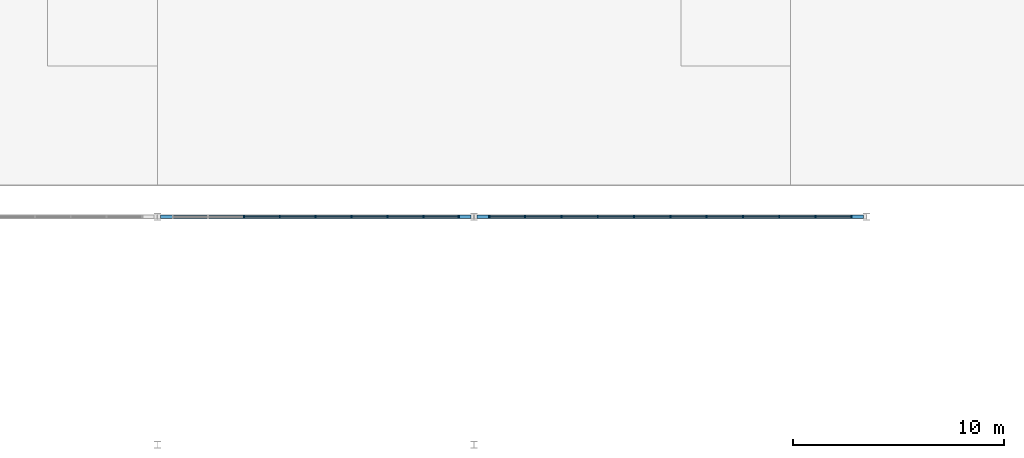
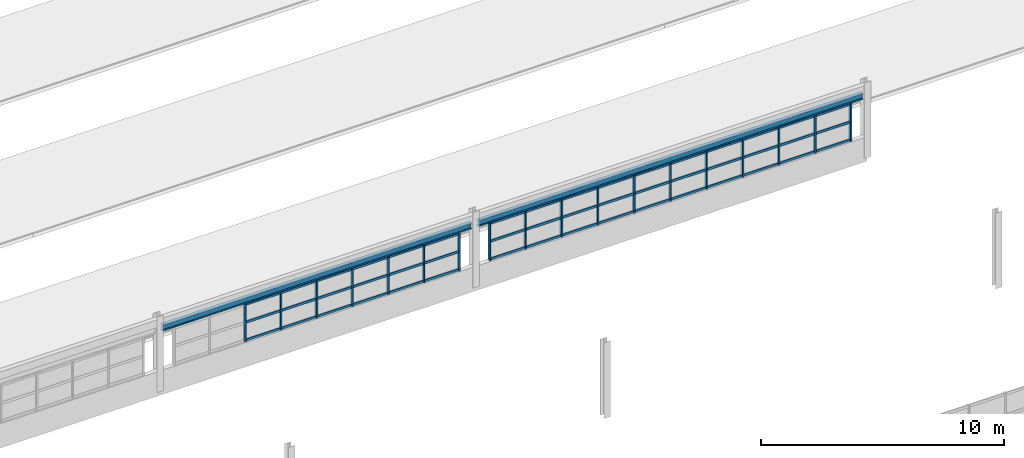
# One storey, part 26 of 90: 66 members, 2 beams, 2 elements without a shape of their own.
"""IFC4 building model written with IfcOpenShell, lengths in metres."""

from ifc_helpers import new_model, si_unit, direction, frame, origin, origin_2d, place, context, subcontext, project, spatial, rectangle, i_section, extrude, material, material_profile, profile_set, type_object, element, aggregate, save


model = new_model("IFC4")

# Units and contexts
model_context = context("Model", 3, precision=1e-05, world=origin(), true_north=direction((0.0, 1.0)))
body_context = subcontext(model_context, "Body", "Model", "MODEL_VIEW")
ifc_project = project(units=[si_unit("LENGTHUNIT", "METRE"), si_unit("AREAUNIT", "SQUARE_METRE"), si_unit("VOLUMEUNIT", "CUBIC_METRE"), si_unit("PLANEANGLEUNIT", "RADIAN"), si_unit("MASSUNIT", "GRAM", prefix="KILO")], contexts=[model_context])

# Site, building, storey
site_placement = place(None, origin())
site = spatial("IfcSite", under=ifc_project, at=site_placement, CompositionType="ELEMENT")
building_placement = place(site_placement, origin())
building = spatial("IfcBuilding", under=site, at=building_placement, Name="Solanera Park Tramway Depot", CompositionType="ELEMENT")
storey_placement = place(building_placement, frame((0.0, 0.0, 9.0)))
storey = spatial("IfcBuildingStorey", under=building, at=storey_placement, Name="L02", CompositionType="ELEMENT", Elevation=9.0)

# Curtain wall, members
ifc_material_1 = material(Name="Bronze-anodised thermally broken aluminium curtain wall", Category="aluminium")
curtain_wall_type = type_object("IfcCurtainWallType", Name="Workshop Daylight Ribbon Curtain Wall", PredefinedType="NOTDEFINED", material=ifc_material_1)
curtain_wall_1_placement = place(storey_placement, origin())
curtain_wall_1 = element("IfcCurtainWall", 1, at=curtain_wall_1_placement, inside=storey, type_object=curtain_wall_type, Name="L02 Workshop Daylight Ribbon Curtain Wall #160", PredefinedType="NOTDEFINED")
ifc_material_2 = material(Name="Bronze-anodised structural aluminium 6063-T6", Category="aluminium")
ifc_material_profile_1 = material_profile(ifc_material_2, rectangle(XDim=0.06494140625, YDim=0.14990234375, at=origin_2d()), Name="Curtain Wall Mullion 65x150")
ifc_profile_set_1 = profile_set([ifc_material_profile_1], Name="Bronze-anodised structural aluminium 6063-T6")
member_type_1 = type_object("IfcMemberType", Name="Curtain Wall Mullion 65x150", PredefinedType="MULLION", material=ifc_profile_set_1)
member_1_placement = place(storey_placement, frame((74.267578125, 54.0, 1.0), z_axis=(0.0, 0.0, 1.0), x_axis=(1.0, 0.0, 0.0)))
member_1 = element("IfcMember", 2, at=member_1_placement, type_object=member_type_1, Name="CW-L02-160 Mullion 1", PredefinedType="MULLION", context=body_context, shape_type="SweptSolid", body=[
    extrude(rectangle(XDim=0.06494140625, YDim=0.14990234375, at=origin_2d()), origin(), (0.0, 0.0, 1.0), 1.919921875),
])
member_2_placement = place(storey_placement, frame((72.60009765625, 54.0, 1.0), z_axis=(0.0, 0.0, 1.0), x_axis=(1.0, 0.0, 0.0)))
member_2 = element("IfcMember", 3, at=member_2_placement, type_object=member_type_1, Name="CW-L02-160 Mullion 2", PredefinedType="MULLION", context=body_context, shape_type="SweptSolid", body=[
    extrude(rectangle(XDim=0.06494140625, YDim=0.14990234375, at=origin_2d()), origin(), (0.0, 0.0, 1.0), 1.919921875),
])
member_3_placement = place(storey_placement, frame((70.89990234375, 54.0, 1.0), z_axis=(0.0, 0.0, 1.0), x_axis=(1.0, 0.0, 0.0)))
member_3 = element("IfcMember", 4, at=member_3_placement, type_object=member_type_1, Name="CW-L02-160 Mullion 3", PredefinedType="MULLION", context=body_context, shape_type="SweptSolid", body=[
    extrude(rectangle(XDim=0.06494140625, YDim=0.14990234375, at=origin_2d()), origin(), (0.0, 0.0, 1.0), 1.919921875),
])
member_4_placement = place(storey_placement, frame((69.199951171875, 54.0, 1.0), z_axis=(0.0, 0.0, 1.0), x_axis=(1.0, 0.0, 0.0)))
member_4 = element("IfcMember", 5, at=member_4_placement, type_object=member_type_1, Name="CW-L02-160 Mullion 4", PredefinedType="MULLION", context=body_context, shape_type="SweptSolid", body=[
    extrude(rectangle(XDim=0.06494140625, YDim=0.14990234375, at=origin_2d()), origin(), (0.0, 0.0, 1.0), 1.919921875),
])
member_5_placement = place(storey_placement, frame((67.5, 54.0, 1.0), z_axis=(0.0, 0.0, 1.0), x_axis=(1.0, 0.0, 0.0)))
member_5 = element("IfcMember", 6, at=member_5_placement, type_object=member_type_1, Name="CW-L02-160 Mullion 5", PredefinedType="MULLION", context=body_context, shape_type="SweptSolid", body=[
    extrude(rectangle(XDim=0.06494140625, YDim=0.14990234375, at=origin_2d()), origin(), (0.0, 0.0, 1.0), 1.919921875),
])
member_6_placement = place(storey_placement, frame((65.800048828125, 54.0, 1.0), z_axis=(0.0, 0.0, 1.0), x_axis=(1.0, 0.0, 0.0)))
member_6 = element("IfcMember", 7, at=member_6_placement, type_object=member_type_1, Name="CW-L02-160 Mullion 6", PredefinedType="MULLION", context=body_context, shape_type="SweptSolid", body=[
    extrude(rectangle(XDim=0.06494140625, YDim=0.14990234375, at=origin_2d()), origin(), (0.0, 0.0, 1.0), 1.919921875),
])
member_7_placement = place(storey_placement, frame((64.10009765625, 54.0, 1.0), z_axis=(0.0, 0.0, 1.0), x_axis=(1.0, 0.0, 0.0)))
member_7 = element("IfcMember", 8, at=member_7_placement, type_object=member_type_1, Name="CW-L02-160 Mullion 7", PredefinedType="MULLION", context=body_context, shape_type="SweptSolid", body=[
    extrude(rectangle(XDim=0.06494140625, YDim=0.14990234375, at=origin_2d()), origin(), (0.0, 0.0, 1.0), 1.919921875),
])

curtain_wall_2_placement = place(storey_placement, origin())
curtain_wall_2 = element("IfcCurtainWall", 9, at=curtain_wall_2_placement, inside=storey, type_object=curtain_wall_type, Name="L02 Workshop Daylight Ribbon Curtain Wall #162", PredefinedType="NOTDEFINED")
member_8_placement = place(storey_placement, frame((92.867431640625, 54.0, 1.0), z_axis=(0.0, 0.0, 1.0), x_axis=(1.0, 0.0, 0.0)))
member_8 = element("IfcMember", 10, at=member_8_placement, type_object=member_type_1, Name="CW-L02-162 Mullion 1", PredefinedType="MULLION", context=body_context, shape_type="SweptSolid", body=[
    extrude(rectangle(XDim=0.06494140625, YDim=0.14990234375, at=origin_2d()), origin(), (0.0, 0.0, 1.0), 1.919921875),
])
member_9_placement = place(storey_placement, frame((91.179931640625, 54.0, 1.0), z_axis=(0.0, 0.0, 1.0), x_axis=(1.0, 0.0, 0.0)))
member_9 = element("IfcMember", 11, at=member_9_placement, type_object=member_type_1, Name="CW-L02-162 Mullion 2", PredefinedType="MULLION", context=body_context, shape_type="SweptSolid", body=[
    extrude(rectangle(XDim=0.06494140625, YDim=0.14990234375, at=origin_2d()), origin(), (0.0, 0.0, 1.0), 1.919921875),
])
member_10_placement = place(storey_placement, frame((89.4599609375, 54.0, 1.0), z_axis=(0.0, 0.0, 1.0), x_axis=(1.0, 0.0, 0.0)))
member_10 = element("IfcMember", 12, at=member_10_placement, type_object=member_type_1, Name="CW-L02-162 Mullion 3", PredefinedType="MULLION", context=body_context, shape_type="SweptSolid", body=[
    extrude(rectangle(XDim=0.06494140625, YDim=0.14990234375, at=origin_2d()), origin(), (0.0, 0.0, 1.0), 1.919921875),
])
member_11_placement = place(storey_placement, frame((87.739990234375, 54.0, 1.0), z_axis=(0.0, 0.0, 1.0), x_axis=(1.0, 0.0, 0.0)))
member_11 = element("IfcMember", 13, at=member_11_placement, type_object=member_type_1, Name="CW-L02-162 Mullion 4", PredefinedType="MULLION", context=body_context, shape_type="SweptSolid", body=[
    extrude(rectangle(XDim=0.06494140625, YDim=0.14990234375, at=origin_2d()), origin(), (0.0, 0.0, 1.0), 1.919921875),
])
member_12_placement = place(storey_placement, frame((86.02001953125, 54.0, 1.0), z_axis=(0.0, 0.0, 1.0), x_axis=(1.0, 0.0, 0.0)))
member_12 = element("IfcMember", 14, at=member_12_placement, type_object=member_type_1, Name="CW-L02-162 Mullion 5", PredefinedType="MULLION", context=body_context, shape_type="SweptSolid", body=[
    extrude(rectangle(XDim=0.06494140625, YDim=0.14990234375, at=origin_2d()), origin(), (0.0, 0.0, 1.0), 1.919921875),
])
member_13_placement = place(storey_placement, frame((84.300048828125, 54.0, 1.0), z_axis=(0.0, 0.0, 1.0), x_axis=(1.0, 0.0, 0.0)))
member_13 = element("IfcMember", 15, at=member_13_placement, type_object=member_type_1, Name="CW-L02-162 Mullion 6", PredefinedType="MULLION", context=body_context, shape_type="SweptSolid", body=[
    extrude(rectangle(XDim=0.06494140625, YDim=0.14990234375, at=origin_2d()), origin(), (0.0, 0.0, 1.0), 1.919921875),
])
member_14_placement = place(storey_placement, frame((82.580078125, 54.0, 1.0), z_axis=(0.0, 0.0, 1.0), x_axis=(1.0, 0.0, 0.0)))
member_14 = element("IfcMember", 16, at=member_14_placement, type_object=member_type_1, Name="CW-L02-162 Mullion 7", PredefinedType="MULLION", context=body_context, shape_type="SweptSolid", body=[
    extrude(rectangle(XDim=0.06494140625, YDim=0.14990234375, at=origin_2d()), origin(), (0.0, 0.0, 1.0), 1.919921875),
])
member_15_placement = place(storey_placement, frame((80.860107421875, 54.0, 1.0), z_axis=(0.0, 0.0, 1.0), x_axis=(1.0, 0.0, 0.0)))
member_15 = element("IfcMember", 17, at=member_15_placement, type_object=member_type_1, Name="CW-L02-162 Mullion 8", PredefinedType="MULLION", context=body_context, shape_type="SweptSolid", body=[
    extrude(rectangle(XDim=0.06494140625, YDim=0.14990234375, at=origin_2d()), origin(), (0.0, 0.0, 1.0), 1.919921875),
])
member_16_placement = place(storey_placement, frame((79.139892578125, 54.0, 1.0), z_axis=(0.0, 0.0, 1.0), x_axis=(1.0, 0.0, 0.0)))
member_16 = element("IfcMember", 18, at=member_16_placement, type_object=member_type_1, Name="CW-L02-162 Mullion 9", PredefinedType="MULLION", context=body_context, shape_type="SweptSolid", body=[
    extrude(rectangle(XDim=0.06494140625, YDim=0.14990234375, at=origin_2d()), origin(), (0.0, 0.0, 1.0), 1.919921875),
])
member_17_placement = place(storey_placement, frame((77.419921875, 54.0, 1.0), z_axis=(0.0, 0.0, 1.0), x_axis=(1.0, 0.0, 0.0)))
member_17 = element("IfcMember", 19, at=member_17_placement, type_object=member_type_1, Name="CW-L02-162 Mullion 10", PredefinedType="MULLION", context=body_context, shape_type="SweptSolid", body=[
    extrude(rectangle(XDim=0.06494140625, YDim=0.14990234375, at=origin_2d()), origin(), (0.0, 0.0, 1.0), 1.919921875),
])
member_18_placement = place(storey_placement, frame((75.732421875, 54.0, 1.0), z_axis=(0.0, 0.0, 1.0), x_axis=(1.0, 0.0, 0.0)))
member_18 = element("IfcMember", 20, at=member_18_placement, type_object=member_type_1, Name="CW-L02-162 Mullion 11", PredefinedType="MULLION", context=body_context, shape_type="SweptSolid", body=[
    extrude(rectangle(XDim=0.06494140625, YDim=0.14990234375, at=origin_2d()), origin(), (0.0, 0.0, 1.0), 1.919921875),
])

# Member
ifc_material_3 = material(Name="Bronze-anodised structural aluminium 6063-T6", Category="aluminium")
ifc_material_profile_2 = material_profile(ifc_material_3, rectangle(XDim=0.06494140625, YDim=0.1201171875, at=origin_2d()), Name="Curtain Wall Transom 65x120")
ifc_profile_set_2 = profile_set([ifc_material_profile_2], Name="Bronze-anodised structural aluminium 6063-T6")
member_type_2 = type_object("IfcMemberType", Name="Curtain Wall Transom 65x120", PredefinedType="USERDEFINED", material=ifc_profile_set_2)
member_19_placement = place(storey_placement, frame((74.239501953125, 54.0, 1.06005859375), z_axis=(-1.0, 0.0, 0.0), x_axis=(0.0, -1.0, 0.0)))
member_19 = element("IfcMember", 21, at=member_19_placement, type_object=member_type_2, Name="CW-L02-160 Transom R1.C1", ObjectType="TRANSOM", PredefinedType="USERDEFINED", context=body_context, shape_type="SweptSolid", body=[
    extrude(rectangle(XDim=0.06494140625, YDim=0.1201171875, at=origin_2d()), origin(), (0.0, 0.0, 1.0), 1.611572265625),
])

member_20_placement = place(storey_placement, frame((72.572021484375, 54.0, 1.06005859375), z_axis=(-1.0, 0.0, 0.0), x_axis=(0.0, -1.0, 0.0)))
member_20 = element("IfcMember", 22, at=member_20_placement, type_object=member_type_2, Name="CW-L02-160 Transom R1.C2", ObjectType="TRANSOM", PredefinedType="USERDEFINED", context=body_context, shape_type="SweptSolid", body=[
    extrude(rectangle(XDim=0.06494140625, YDim=0.1201171875, at=origin_2d()), origin(), (0.0, 0.0, 1.0), 1.64404296875),
])

member_21_placement = place(storey_placement, frame((70.8720703125, 54.0, 1.06005859375), z_axis=(-1.0, 0.0, 0.0), x_axis=(0.0, -1.0, 0.0)))
member_21 = element("IfcMember", 23, at=member_21_placement, type_object=member_type_2, Name="CW-L02-160 Transom R1.C3", ObjectType="TRANSOM", PredefinedType="USERDEFINED", context=body_context, shape_type="SweptSolid", body=[
    extrude(rectangle(XDim=0.06494140625, YDim=0.1201171875, at=origin_2d()), origin(), (0.0, 0.0, 1.0), 1.64404296875),
])

member_22_placement = place(storey_placement, frame((69.172119140625, 54.0, 1.06005859375), z_axis=(-1.0, 0.0, 0.0), x_axis=(0.0, -1.0, 0.0)))
member_22 = element("IfcMember", 24, at=member_22_placement, type_object=member_type_2, Name="CW-L02-160 Transom R1.C4", ObjectType="TRANSOM", PredefinedType="USERDEFINED", context=body_context, shape_type="SweptSolid", body=[
    extrude(rectangle(XDim=0.06494140625, YDim=0.1201171875, at=origin_2d()), origin(), (0.0, 0.0, 1.0), 1.64404296875),
])

member_23_placement = place(storey_placement, frame((67.471923828125, 54.0, 1.06005859375), z_axis=(-1.0, 0.0, 0.0), x_axis=(0.0, -1.0, 0.0)))
member_23 = element("IfcMember", 25, at=member_23_placement, type_object=member_type_2, Name="CW-L02-160 Transom R1.C5", ObjectType="TRANSOM", PredefinedType="USERDEFINED", context=body_context, shape_type="SweptSolid", body=[
    extrude(rectangle(XDim=0.06494140625, YDim=0.1201171875, at=origin_2d()), origin(), (0.0, 0.0, 1.0), 1.64404296875),
])

member_24_placement = place(storey_placement, frame((65.77197265625, 54.0, 1.06005859375), z_axis=(-1.0, 0.0, 0.0), x_axis=(0.0, -1.0, 0.0)))
member_24 = element("IfcMember", 26, at=member_24_placement, type_object=member_type_2, Name="CW-L02-160 Transom R1.C6", ObjectType="TRANSOM", PredefinedType="USERDEFINED", context=body_context, shape_type="SweptSolid", body=[
    extrude(rectangle(XDim=0.06494140625, YDim=0.1201171875, at=origin_2d()), origin(), (0.0, 0.0, 1.0), 1.64404296875),
])

member_25_placement = place(storey_placement, frame((74.239501953125, 54.0, 1.9599609375), z_axis=(-1.0, 0.0, 0.0), x_axis=(0.0, -1.0, 0.0)))
member_25 = element("IfcMember", 27, at=member_25_placement, type_object=member_type_2, Name="CW-L02-160 Transom R2.C1", ObjectType="TRANSOM", PredefinedType="USERDEFINED", context=body_context, shape_type="SweptSolid", body=[
    extrude(rectangle(XDim=0.06494140625, YDim=0.1201171875, at=origin_2d()), origin(), (0.0, 0.0, 1.0), 1.611572265625),
])

member_26_placement = place(storey_placement, frame((72.572021484375, 54.0, 1.9599609375), z_axis=(-1.0, 0.0, 0.0), x_axis=(0.0, -1.0, 0.0)))
member_26 = element("IfcMember", 28, at=member_26_placement, type_object=member_type_2, Name="CW-L02-160 Transom R2.C2", ObjectType="TRANSOM", PredefinedType="USERDEFINED", context=body_context, shape_type="SweptSolid", body=[
    extrude(rectangle(XDim=0.06494140625, YDim=0.1201171875, at=origin_2d()), origin(), (0.0, 0.0, 1.0), 1.64404296875),
])

member_27_placement = place(storey_placement, frame((70.8720703125, 54.0, 1.9599609375), z_axis=(-1.0, 0.0, 0.0), x_axis=(0.0, -1.0, 0.0)))
member_27 = element("IfcMember", 29, at=member_27_placement, type_object=member_type_2, Name="CW-L02-160 Transom R2.C3", ObjectType="TRANSOM", PredefinedType="USERDEFINED", context=body_context, shape_type="SweptSolid", body=[
    extrude(rectangle(XDim=0.06494140625, YDim=0.1201171875, at=origin_2d()), origin(), (0.0, 0.0, 1.0), 1.64404296875),
])

member_28_placement = place(storey_placement, frame((69.172119140625, 54.0, 1.9599609375), z_axis=(-1.0, 0.0, 0.0), x_axis=(0.0, -1.0, 0.0)))
member_28 = element("IfcMember", 30, at=member_28_placement, type_object=member_type_2, Name="CW-L02-160 Transom R2.C4", ObjectType="TRANSOM", PredefinedType="USERDEFINED", context=body_context, shape_type="SweptSolid", body=[
    extrude(rectangle(XDim=0.06494140625, YDim=0.1201171875, at=origin_2d()), origin(), (0.0, 0.0, 1.0), 1.64404296875),
])

member_29_placement = place(storey_placement, frame((67.471923828125, 54.0, 1.9599609375), z_axis=(-1.0, 0.0, 0.0), x_axis=(0.0, -1.0, 0.0)))
member_29 = element("IfcMember", 31, at=member_29_placement, type_object=member_type_2, Name="CW-L02-160 Transom R2.C5", ObjectType="TRANSOM", PredefinedType="USERDEFINED", context=body_context, shape_type="SweptSolid", body=[
    extrude(rectangle(XDim=0.06494140625, YDim=0.1201171875, at=origin_2d()), origin(), (0.0, 0.0, 1.0), 1.64404296875),
])

member_30_placement = place(storey_placement, frame((65.77197265625, 54.0, 1.9599609375), z_axis=(-1.0, 0.0, 0.0), x_axis=(0.0, -1.0, 0.0)))
member_30 = element("IfcMember", 32, at=member_30_placement, type_object=member_type_2, Name="CW-L02-160 Transom R2.C6", ObjectType="TRANSOM", PredefinedType="USERDEFINED", context=body_context, shape_type="SweptSolid", body=[
    extrude(rectangle(XDim=0.06494140625, YDim=0.1201171875, at=origin_2d()), origin(), (0.0, 0.0, 1.0), 1.64404296875),
])

member_31_placement = place(storey_placement, frame((74.239501953125, 54.0, 2.860107421875), z_axis=(-1.0, 0.0, 0.0), x_axis=(0.0, -1.0, 0.0)))
member_31 = element("IfcMember", 33, at=member_31_placement, type_object=member_type_2, Name="CW-L02-160 Transom R3.C1", ObjectType="TRANSOM", PredefinedType="USERDEFINED", context=body_context, shape_type="SweptSolid", body=[
    extrude(rectangle(XDim=0.06494140625, YDim=0.1201171875, at=origin_2d()), origin(), (0.0, 0.0, 1.0), 1.611572265625),
])

member_32_placement = place(storey_placement, frame((72.572021484375, 54.0, 2.860107421875), z_axis=(-1.0, 0.0, 0.0), x_axis=(0.0, -1.0, 0.0)))
member_32 = element("IfcMember", 34, at=member_32_placement, type_object=member_type_2, Name="CW-L02-160 Transom R3.C2", ObjectType="TRANSOM", PredefinedType="USERDEFINED", context=body_context, shape_type="SweptSolid", body=[
    extrude(rectangle(XDim=0.06494140625, YDim=0.1201171875, at=origin_2d()), origin(), (0.0, 0.0, 1.0), 1.64404296875),
])

member_33_placement = place(storey_placement, frame((70.8720703125, 54.0, 2.860107421875), z_axis=(-1.0, 0.0, 0.0), x_axis=(0.0, -1.0, 0.0)))
member_33 = element("IfcMember", 35, at=member_33_placement, type_object=member_type_2, Name="CW-L02-160 Transom R3.C3", ObjectType="TRANSOM", PredefinedType="USERDEFINED", context=body_context, shape_type="SweptSolid", body=[
    extrude(rectangle(XDim=0.06494140625, YDim=0.1201171875, at=origin_2d()), origin(), (0.0, 0.0, 1.0), 1.64404296875),
])

member_34_placement = place(storey_placement, frame((69.172119140625, 54.0, 2.860107421875), z_axis=(-1.0, 0.0, 0.0), x_axis=(0.0, -1.0, 0.0)))
member_34 = element("IfcMember", 36, at=member_34_placement, type_object=member_type_2, Name="CW-L02-160 Transom R3.C4", ObjectType="TRANSOM", PredefinedType="USERDEFINED", context=body_context, shape_type="SweptSolid", body=[
    extrude(rectangle(XDim=0.06494140625, YDim=0.1201171875, at=origin_2d()), origin(), (0.0, 0.0, 1.0), 1.64404296875),
])

member_35_placement = place(storey_placement, frame((67.471923828125, 54.0, 2.860107421875), z_axis=(-1.0, 0.0, 0.0), x_axis=(0.0, -1.0, 0.0)))
member_35 = element("IfcMember", 37, at=member_35_placement, type_object=member_type_2, Name="CW-L02-160 Transom R3.C5", ObjectType="TRANSOM", PredefinedType="USERDEFINED", context=body_context, shape_type="SweptSolid", body=[
    extrude(rectangle(XDim=0.06494140625, YDim=0.1201171875, at=origin_2d()), origin(), (0.0, 0.0, 1.0), 1.64404296875),
])

member_36_placement = place(storey_placement, frame((65.77197265625, 54.0, 2.860107421875), z_axis=(-1.0, 0.0, 0.0), x_axis=(0.0, -1.0, 0.0)))
member_36 = element("IfcMember", 38, at=member_36_placement, type_object=member_type_2, Name="CW-L02-160 Transom R3.C6", ObjectType="TRANSOM", PredefinedType="USERDEFINED", context=body_context, shape_type="SweptSolid", body=[
    extrude(rectangle(XDim=0.06494140625, YDim=0.1201171875, at=origin_2d()), origin(), (0.0, 0.0, 1.0), 1.64404296875),
])

aggregate(curtain_wall_1, [member_1, member_2, member_3, member_4, member_5, member_6, member_7, member_19, member_20, member_21, member_22, member_23, member_24, member_25, member_26, member_27, member_28, member_29, member_30, member_31, member_32, member_33, member_34, member_35, member_36])

member_37_placement = place(storey_placement, frame((92.839599609375, 54.0, 1.06005859375), z_axis=(-1.0, 0.0, 0.0), x_axis=(0.0, -1.0, 0.0)))
member_37 = element("IfcMember", 39, at=member_37_placement, type_object=member_type_2, Name="CW-L02-162 Transom R1.C1", ObjectType="TRANSOM", PredefinedType="USERDEFINED", context=body_context, shape_type="SweptSolid", body=[
    extrude(rectangle(XDim=0.06494140625, YDim=0.1201171875, at=origin_2d()), origin(), (0.0, 0.0, 1.0), 1.631591796875),
])

member_38_placement = place(storey_placement, frame((91.152099609375, 54.0, 1.06005859375), z_axis=(-1.0, 0.0, 0.0), x_axis=(0.0, -1.0, 0.0)))
member_38 = element("IfcMember", 40, at=member_38_placement, type_object=member_type_2, Name="CW-L02-162 Transom R1.C2", ObjectType="TRANSOM", PredefinedType="USERDEFINED", context=body_context, shape_type="SweptSolid", body=[
    extrude(rectangle(XDim=0.06494140625, YDim=0.1201171875, at=origin_2d()), origin(), (0.0, 0.0, 1.0), 1.6640625),
])

member_39_placement = place(storey_placement, frame((89.431884765625, 54.0, 1.06005859375), z_axis=(-1.0, 0.0, 0.0), x_axis=(0.0, -1.0, 0.0)))
member_39 = element("IfcMember", 41, at=member_39_placement, type_object=member_type_2, Name="CW-L02-162 Transom R1.C3", ObjectType="TRANSOM", PredefinedType="USERDEFINED", context=body_context, shape_type="SweptSolid", body=[
    extrude(rectangle(XDim=0.06494140625, YDim=0.1201171875, at=origin_2d()), origin(), (0.0, 0.0, 1.0), 1.663818359375),
])

member_40_placement = place(storey_placement, frame((87.7119140625, 54.0, 1.06005859375), z_axis=(-1.0, 0.0, 0.0), x_axis=(0.0, -1.0, 0.0)))
member_40 = element("IfcMember", 42, at=member_40_placement, type_object=member_type_2, Name="CW-L02-162 Transom R1.C4", ObjectType="TRANSOM", PredefinedType="USERDEFINED", context=body_context, shape_type="SweptSolid", body=[
    extrude(rectangle(XDim=0.06494140625, YDim=0.1201171875, at=origin_2d()), origin(), (0.0, 0.0, 1.0), 1.663818359375),
])

member_41_placement = place(storey_placement, frame((85.991943359375, 54.0, 1.06005859375), z_axis=(-1.0, 0.0, 0.0), x_axis=(0.0, -1.0, 0.0)))
member_41 = element("IfcMember", 43, at=member_41_placement, type_object=member_type_2, Name="CW-L02-162 Transom R1.C5", ObjectType="TRANSOM", PredefinedType="USERDEFINED", context=body_context, shape_type="SweptSolid", body=[
    extrude(rectangle(XDim=0.06494140625, YDim=0.1201171875, at=origin_2d()), origin(), (0.0, 0.0, 1.0), 1.6640625),
])

member_42_placement = place(storey_placement, frame((84.27197265625, 54.0, 1.06005859375), z_axis=(-1.0, 0.0, 0.0), x_axis=(0.0, -1.0, 0.0)))
member_42 = element("IfcMember", 44, at=member_42_placement, type_object=member_type_2, Name="CW-L02-162 Transom R1.C6", ObjectType="TRANSOM", PredefinedType="USERDEFINED", context=body_context, shape_type="SweptSolid", body=[
    extrude(rectangle(XDim=0.06494140625, YDim=0.1201171875, at=origin_2d()), origin(), (0.0, 0.0, 1.0), 1.6640625),
])

member_43_placement = place(storey_placement, frame((82.552001953125, 54.0, 1.06005859375), z_axis=(-1.0, 0.0, 0.0), x_axis=(0.0, -1.0, 0.0)))
member_43 = element("IfcMember", 45, at=member_43_placement, type_object=member_type_2, Name="CW-L02-162 Transom R1.C7", ObjectType="TRANSOM", PredefinedType="USERDEFINED", context=body_context, shape_type="SweptSolid", body=[
    extrude(rectangle(XDim=0.06494140625, YDim=0.1201171875, at=origin_2d()), origin(), (0.0, 0.0, 1.0), 1.6640625),
])

member_44_placement = place(storey_placement, frame((80.83203125, 54.0, 1.06005859375), z_axis=(-1.0, 0.0, 0.0), x_axis=(0.0, -1.0, 0.0)))
member_44 = element("IfcMember", 46, at=member_44_placement, type_object=member_type_2, Name="CW-L02-162 Transom R1.C8", ObjectType="TRANSOM", PredefinedType="USERDEFINED", context=body_context, shape_type="SweptSolid", body=[
    extrude(rectangle(XDim=0.06494140625, YDim=0.1201171875, at=origin_2d()), origin(), (0.0, 0.0, 1.0), 1.6640625),
])

member_45_placement = place(storey_placement, frame((79.112060546875, 54.0, 1.06005859375), z_axis=(-1.0, 0.0, 0.0), x_axis=(0.0, -1.0, 0.0)))
member_45 = element("IfcMember", 47, at=member_45_placement, type_object=member_type_2, Name="CW-L02-162 Transom R1.C9", ObjectType="TRANSOM", PredefinedType="USERDEFINED", context=body_context, shape_type="SweptSolid", body=[
    extrude(rectangle(XDim=0.06494140625, YDim=0.1201171875, at=origin_2d()), origin(), (0.0, 0.0, 1.0), 1.6640625),
])

member_46_placement = place(storey_placement, frame((77.39208984375, 54.0, 1.06005859375), z_axis=(-1.0, 0.0, 0.0), x_axis=(0.0, -1.0, 0.0)))
member_46 = element("IfcMember", 48, at=member_46_placement, type_object=member_type_2, Name="CW-L02-162 Transom R1.C10", ObjectType="TRANSOM", PredefinedType="USERDEFINED", context=body_context, shape_type="SweptSolid", body=[
    extrude(rectangle(XDim=0.06494140625, YDim=0.1201171875, at=origin_2d()), origin(), (0.0, 0.0, 1.0), 1.631591796875),
])

member_47_placement = place(storey_placement, frame((92.839599609375, 54.0, 1.9599609375), z_axis=(-1.0, 0.0, 0.0), x_axis=(0.0, -1.0, 0.0)))
member_47 = element("IfcMember", 49, at=member_47_placement, type_object=member_type_2, Name="CW-L02-162 Transom R2.C1", ObjectType="TRANSOM", PredefinedType="USERDEFINED", context=body_context, shape_type="SweptSolid", body=[
    extrude(rectangle(XDim=0.06494140625, YDim=0.1201171875, at=origin_2d()), origin(), (0.0, 0.0, 1.0), 1.631591796875),
])

member_48_placement = place(storey_placement, frame((91.152099609375, 54.0, 1.9599609375), z_axis=(-1.0, 0.0, 0.0), x_axis=(0.0, -1.0, 0.0)))
member_48 = element("IfcMember", 50, at=member_48_placement, type_object=member_type_2, Name="CW-L02-162 Transom R2.C2", ObjectType="TRANSOM", PredefinedType="USERDEFINED", context=body_context, shape_type="SweptSolid", body=[
    extrude(rectangle(XDim=0.06494140625, YDim=0.1201171875, at=origin_2d()), origin(), (0.0, 0.0, 1.0), 1.6640625),
])

member_49_placement = place(storey_placement, frame((89.431884765625, 54.0, 1.9599609375), z_axis=(-1.0, 0.0, 0.0), x_axis=(0.0, -1.0, 0.0)))
member_49 = element("IfcMember", 51, at=member_49_placement, type_object=member_type_2, Name="CW-L02-162 Transom R2.C3", ObjectType="TRANSOM", PredefinedType="USERDEFINED", context=body_context, shape_type="SweptSolid", body=[
    extrude(rectangle(XDim=0.06494140625, YDim=0.1201171875, at=origin_2d()), origin(), (0.0, 0.0, 1.0), 1.663818359375),
])

member_50_placement = place(storey_placement, frame((87.7119140625, 54.0, 1.9599609375), z_axis=(-1.0, 0.0, 0.0), x_axis=(0.0, -1.0, 0.0)))
member_50 = element("IfcMember", 52, at=member_50_placement, type_object=member_type_2, Name="CW-L02-162 Transom R2.C4", ObjectType="TRANSOM", PredefinedType="USERDEFINED", context=body_context, shape_type="SweptSolid", body=[
    extrude(rectangle(XDim=0.06494140625, YDim=0.1201171875, at=origin_2d()), origin(), (0.0, 0.0, 1.0), 1.663818359375),
])

member_51_placement = place(storey_placement, frame((85.991943359375, 54.0, 1.9599609375), z_axis=(-1.0, 0.0, 0.0), x_axis=(0.0, -1.0, 0.0)))
member_51 = element("IfcMember", 53, at=member_51_placement, type_object=member_type_2, Name="CW-L02-162 Transom R2.C5", ObjectType="TRANSOM", PredefinedType="USERDEFINED", context=body_context, shape_type="SweptSolid", body=[
    extrude(rectangle(XDim=0.06494140625, YDim=0.1201171875, at=origin_2d()), origin(), (0.0, 0.0, 1.0), 1.6640625),
])

member_52_placement = place(storey_placement, frame((84.27197265625, 54.0, 1.9599609375), z_axis=(-1.0, 0.0, 0.0), x_axis=(0.0, -1.0, 0.0)))
member_52 = element("IfcMember", 54, at=member_52_placement, type_object=member_type_2, Name="CW-L02-162 Transom R2.C6", ObjectType="TRANSOM", PredefinedType="USERDEFINED", context=body_context, shape_type="SweptSolid", body=[
    extrude(rectangle(XDim=0.06494140625, YDim=0.1201171875, at=origin_2d()), origin(), (0.0, 0.0, 1.0), 1.6640625),
])

member_53_placement = place(storey_placement, frame((82.552001953125, 54.0, 1.9599609375), z_axis=(-1.0, 0.0, 0.0), x_axis=(0.0, -1.0, 0.0)))
member_53 = element("IfcMember", 55, at=member_53_placement, type_object=member_type_2, Name="CW-L02-162 Transom R2.C7", ObjectType="TRANSOM", PredefinedType="USERDEFINED", context=body_context, shape_type="SweptSolid", body=[
    extrude(rectangle(XDim=0.06494140625, YDim=0.1201171875, at=origin_2d()), origin(), (0.0, 0.0, 1.0), 1.6640625),
])

member_54_placement = place(storey_placement, frame((80.83203125, 54.0, 1.9599609375), z_axis=(-1.0, 0.0, 0.0), x_axis=(0.0, -1.0, 0.0)))
member_54 = element("IfcMember", 56, at=member_54_placement, type_object=member_type_2, Name="CW-L02-162 Transom R2.C8", ObjectType="TRANSOM", PredefinedType="USERDEFINED", context=body_context, shape_type="SweptSolid", body=[
    extrude(rectangle(XDim=0.06494140625, YDim=0.1201171875, at=origin_2d()), origin(), (0.0, 0.0, 1.0), 1.6640625),
])

member_55_placement = place(storey_placement, frame((79.112060546875, 54.0, 1.9599609375), z_axis=(-1.0, 0.0, 0.0), x_axis=(0.0, -1.0, 0.0)))
member_55 = element("IfcMember", 57, at=member_55_placement, type_object=member_type_2, Name="CW-L02-162 Transom R2.C9", ObjectType="TRANSOM", PredefinedType="USERDEFINED", context=body_context, shape_type="SweptSolid", body=[
    extrude(rectangle(XDim=0.06494140625, YDim=0.1201171875, at=origin_2d()), origin(), (0.0, 0.0, 1.0), 1.6640625),
])

member_56_placement = place(storey_placement, frame((77.39208984375, 54.0, 1.9599609375), z_axis=(-1.0, 0.0, 0.0), x_axis=(0.0, -1.0, 0.0)))
member_56 = element("IfcMember", 58, at=member_56_placement, type_object=member_type_2, Name="CW-L02-162 Transom R2.C10", ObjectType="TRANSOM", PredefinedType="USERDEFINED", context=body_context, shape_type="SweptSolid", body=[
    extrude(rectangle(XDim=0.06494140625, YDim=0.1201171875, at=origin_2d()), origin(), (0.0, 0.0, 1.0), 1.631591796875),
])

member_57_placement = place(storey_placement, frame((92.839599609375, 54.0, 2.860107421875), z_axis=(-1.0, 0.0, 0.0), x_axis=(0.0, -1.0, 0.0)))
member_57 = element("IfcMember", 59, at=member_57_placement, type_object=member_type_2, Name="CW-L02-162 Transom R3.C1", ObjectType="TRANSOM", PredefinedType="USERDEFINED", context=body_context, shape_type="SweptSolid", body=[
    extrude(rectangle(XDim=0.06494140625, YDim=0.1201171875, at=origin_2d()), origin(), (0.0, 0.0, 1.0), 1.631591796875),
])

member_58_placement = place(storey_placement, frame((91.152099609375, 54.0, 2.860107421875), z_axis=(-1.0, 0.0, 0.0), x_axis=(0.0, -1.0, 0.0)))
member_58 = element("IfcMember", 60, at=member_58_placement, type_object=member_type_2, Name="CW-L02-162 Transom R3.C2", ObjectType="TRANSOM", PredefinedType="USERDEFINED", context=body_context, shape_type="SweptSolid", body=[
    extrude(rectangle(XDim=0.06494140625, YDim=0.1201171875, at=origin_2d()), origin(), (0.0, 0.0, 1.0), 1.6640625),
])

member_59_placement = place(storey_placement, frame((89.431884765625, 54.0, 2.860107421875), z_axis=(-1.0, 0.0, 0.0), x_axis=(0.0, -1.0, 0.0)))
member_59 = element("IfcMember", 61, at=member_59_placement, type_object=member_type_2, Name="CW-L02-162 Transom R3.C3", ObjectType="TRANSOM", PredefinedType="USERDEFINED", context=body_context, shape_type="SweptSolid", body=[
    extrude(rectangle(XDim=0.06494140625, YDim=0.1201171875, at=origin_2d()), origin(), (0.0, 0.0, 1.0), 1.663818359375),
])

member_60_placement = place(storey_placement, frame((87.7119140625, 54.0, 2.860107421875), z_axis=(-1.0, 0.0, 0.0), x_axis=(0.0, -1.0, 0.0)))
member_60 = element("IfcMember", 62, at=member_60_placement, type_object=member_type_2, Name="CW-L02-162 Transom R3.C4", ObjectType="TRANSOM", PredefinedType="USERDEFINED", context=body_context, shape_type="SweptSolid", body=[
    extrude(rectangle(XDim=0.06494140625, YDim=0.1201171875, at=origin_2d()), origin(), (0.0, 0.0, 1.0), 1.663818359375),
])

member_61_placement = place(storey_placement, frame((85.991943359375, 54.0, 2.860107421875), z_axis=(-1.0, 0.0, 0.0), x_axis=(0.0, -1.0, 0.0)))
member_61 = element("IfcMember", 63, at=member_61_placement, type_object=member_type_2, Name="CW-L02-162 Transom R3.C5", ObjectType="TRANSOM", PredefinedType="USERDEFINED", context=body_context, shape_type="SweptSolid", body=[
    extrude(rectangle(XDim=0.06494140625, YDim=0.1201171875, at=origin_2d()), origin(), (0.0, 0.0, 1.0), 1.6640625),
])

member_62_placement = place(storey_placement, frame((84.27197265625, 54.0, 2.860107421875), z_axis=(-1.0, 0.0, 0.0), x_axis=(0.0, -1.0, 0.0)))
member_62 = element("IfcMember", 64, at=member_62_placement, type_object=member_type_2, Name="CW-L02-162 Transom R3.C6", ObjectType="TRANSOM", PredefinedType="USERDEFINED", context=body_context, shape_type="SweptSolid", body=[
    extrude(rectangle(XDim=0.06494140625, YDim=0.1201171875, at=origin_2d()), origin(), (0.0, 0.0, 1.0), 1.6640625),
])

member_63_placement = place(storey_placement, frame((82.552001953125, 54.0, 2.860107421875), z_axis=(-1.0, 0.0, 0.0), x_axis=(0.0, -1.0, 0.0)))
member_63 = element("IfcMember", 65, at=member_63_placement, type_object=member_type_2, Name="CW-L02-162 Transom R3.C7", ObjectType="TRANSOM", PredefinedType="USERDEFINED", context=body_context, shape_type="SweptSolid", body=[
    extrude(rectangle(XDim=0.06494140625, YDim=0.1201171875, at=origin_2d()), origin(), (0.0, 0.0, 1.0), 1.6640625),
])

member_64_placement = place(storey_placement, frame((80.83203125, 54.0, 2.860107421875), z_axis=(-1.0, 0.0, 0.0), x_axis=(0.0, -1.0, 0.0)))
member_64 = element("IfcMember", 66, at=member_64_placement, type_object=member_type_2, Name="CW-L02-162 Transom R3.C8", ObjectType="TRANSOM", PredefinedType="USERDEFINED", context=body_context, shape_type="SweptSolid", body=[
    extrude(rectangle(XDim=0.06494140625, YDim=0.1201171875, at=origin_2d()), origin(), (0.0, 0.0, 1.0), 1.6640625),
])

member_65_placement = place(storey_placement, frame((79.112060546875, 54.0, 2.860107421875), z_axis=(-1.0, 0.0, 0.0), x_axis=(0.0, -1.0, 0.0)))
member_65 = element("IfcMember", 67, at=member_65_placement, type_object=member_type_2, Name="CW-L02-162 Transom R3.C9", ObjectType="TRANSOM", PredefinedType="USERDEFINED", context=body_context, shape_type="SweptSolid", body=[
    extrude(rectangle(XDim=0.06494140625, YDim=0.1201171875, at=origin_2d()), origin(), (0.0, 0.0, 1.0), 1.6640625),
])

member_66_placement = place(storey_placement, frame((77.39208984375, 54.0, 2.860107421875), z_axis=(-1.0, 0.0, 0.0), x_axis=(0.0, -1.0, 0.0)))
member_66 = element("IfcMember", 68, at=member_66_placement, type_object=member_type_2, Name="CW-L02-162 Transom R3.C10", ObjectType="TRANSOM", PredefinedType="USERDEFINED", context=body_context, shape_type="SweptSolid", body=[
    extrude(rectangle(XDim=0.06494140625, YDim=0.1201171875, at=origin_2d()), origin(), (0.0, 0.0, 1.0), 1.631591796875),
])

aggregate(curtain_wall_2, [member_8, member_9, member_10, member_11, member_12, member_13, member_14, member_15, member_16, member_17, member_18, member_37, member_38, member_39, member_40, member_41, member_42, member_43, member_44, member_45, member_46, member_47, member_48, member_49, member_50, member_51, member_52, member_53, member_54, member_55, member_56, member_57, member_58, member_59, member_60, member_61, member_62, member_63, member_64, member_65, member_66])

# Beams
ifc_material_4 = material(Name="Steel AS/NZS 3679.1 Grade 350", Category="steel")
ifc_material_profile_3 = material_profile(ifc_material_4, i_section(OverallWidth=0.166015625, OverallDepth=0.30712890625, WebThickness=0.006591796875, FlangeThickness=0.01171875, at=origin_2d()), Name="310UB46.2")
ifc_profile_set_3 = profile_set([ifc_material_profile_3], Name="Steel AS/NZS 3679.1 Grade 350")
beam_type = type_object("IfcBeamType", Name="Steel Beam 310UB46.2", PredefinedType="BEAM", material=ifc_profile_set_3)
beam_1_placement = place(storey_placement, frame((60.1533203125, 54.0, 3.091552734375), z_axis=(1.0, 0.0, 0.0), x_axis=(0.0, 1.0, 0.0)))
element("IfcBeam", 69, at=beam_1_placement, inside=storey, type_object=beam_type, Name="L02 Workshop North Clerestory Lintel Girt 310UB46.2 #05", PredefinedType="BEAM", context=body_context, shape_type="SweptSolid", body=[
    extrude(i_section(OverallWidth=0.166015625, OverallDepth=0.30712890625, WebThickness=0.006591796875, FlangeThickness=0.01171875, at=origin_2d()), origin(), (0.0, 0.0, 1.0), 14.693359375),
])
beam_2_placement = place(storey_placement, frame((75.1533203125, 54.0, 3.091552734375), z_axis=(1.0, 0.0, 0.0), x_axis=(0.0, 1.0, 0.0)))
element("IfcBeam", 70, at=beam_2_placement, inside=storey, type_object=beam_type, Name="L02 Workshop North Clerestory Lintel Girt 310UB46.2 #06", PredefinedType="BEAM", context=body_context, shape_type="SweptSolid", body=[
    extrude(i_section(OverallWidth=0.166015625, OverallDepth=0.30712890625, WebThickness=0.006591796875, FlangeThickness=0.01171875, at=origin_2d()), origin(), (0.0, 0.0, 1.0), 18.293212890625),
])

save(model, "model.ifc")
